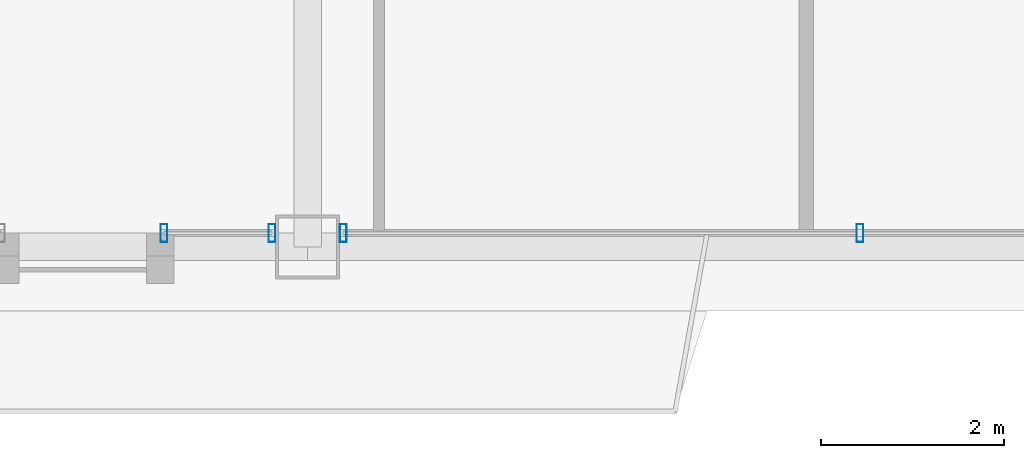
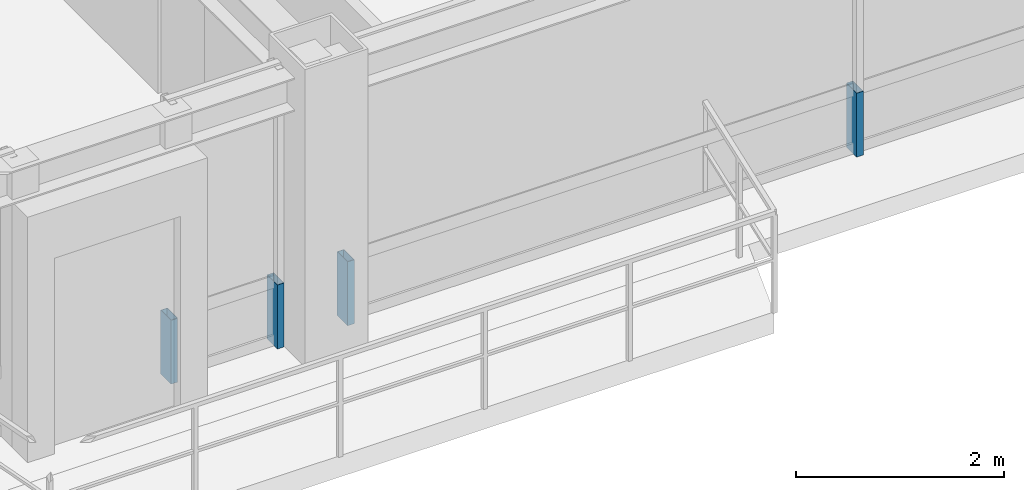
# One storey, part 20 of 33: 4 members, 2 elements without a shape of their own.
"""IFC4 building model written with IfcOpenShell, lengths in metres."""

from ifc_helpers import new_model, si_unit, direction, frame, origin, origin_2d, place, context, subcontext, project, spatial, hollow_rectangle, extrude, source, transform, mapped, material, layer, layer_set, material_profile, profile_set, type_object, element, aggregate, save


model = new_model("IFC4")

# Units and contexts
model_context = context("Model", 3, precision=1e-05, world=origin(), true_north=direction((0.0, 1.0)))
body_context = subcontext(model_context, "Body", "Model", "MODEL_VIEW")
ifc_project = project(units=[si_unit("LENGTHUNIT", "METRE"), si_unit("AREAUNIT", "SQUARE_METRE"), si_unit("VOLUMEUNIT", "CUBIC_METRE"), si_unit("PLANEANGLEUNIT", "RADIAN"), si_unit("MASSUNIT", "GRAM", prefix="KILO"), si_unit("THERMODYNAMICTEMPERATUREUNIT", "KELVIN"), si_unit("POWERUNIT", "WATT")], contexts=[model_context])

# Site, building, storey
site_placement = place(None, origin())
site = spatial("IfcSite", under=ifc_project, at=site_placement, CompositionType="ELEMENT")
building_placement = place(site_placement, origin())
building = spatial("IfcBuilding", under=site, at=building_placement, Name="Yuzanri Waterfront Tower", CompositionType="ELEMENT")
storey_placement = place(building_placement, frame((0.0, 0.0, 292.60009765625)))
storey = spatial("IfcBuildingStorey", under=building, at=storey_placement, Name="L78", CompositionType="ELEMENT", Elevation=292.60009765625)

# Curtain wall, members
ifc_material_1 = material(Name="Anodized Architectural Bronze", Category="metal")
ifc_layer = layer(ifc_material_1, 0.159912109375)
ifc_layer_set = layer_set([ifc_layer], Name="Anodized Architectural Bronze")
curtain_wall_type = type_object("IfcCurtainWallType", Name="Anodized Bronze High-Rise Penthouse High-Wind Unitized Curtain Wall 6900", PredefinedType="NOTDEFINED", material=ifc_layer_set)
curtain_wall_1_placement = place(storey_placement, origin())
curtain_wall_1 = element("IfcCurtainWall", 1, at=curtain_wall_1_placement, inside=storey, type_object=curtain_wall_type, Name="L78 Curtain Wall CW-L78-SL2", PredefinedType="NOTDEFINED")
ifc_material_2 = material(Name="Anodized Architectural Bronze", Category="metal")
ifc_material_profile = material_profile(ifc_material_2, hollow_rectangle(XDim=0.074951171875, YDim=0.199951171875, WallThickness=0.00390625, at=origin_2d()), Name="CWM 75x200")
ifc_profile_set = profile_set([ifc_material_profile], Name="Anodized Architectural Bronze")
member_type = type_object("IfcMemberType", Name="Anodized Bronze Primary Curtain-Wall Mullion 75x200", PredefinedType="MULLION", material=ifc_profile_set)
shared_shape = source(origin(), body_context, "Body", "SweptSolid", [
    extrude(hollow_rectangle(XDim=0.074951171875, YDim=0.199951171875, WallThickness=0.00390625, at=origin_2d()), origin(), (0.0, 0.0, 1.0), 0.751953125),
])
member_1_placement = place(storey_placement, frame((35.427001953125, 6.85009765625, 0.0), z_axis=(0.0, 0.0, 1.0), x_axis=(1.0, 0.0, 0.0)))
member_1 = element("IfcMember", 2, at=member_1_placement, type_object=member_type, Name="CW-L78-SL2 Lower Mullion 00", PredefinedType="MULLION", context=body_context, shape_type="MappedRepresentation", body=[
    mapped(shared_shape, transform((0.0, 0.0, 0.0), scale=1.0)),
])
member_2_placement = place(storey_placement, frame((36.610107421875, 6.85009765625, 0.0), z_axis=(0.0, 0.0, 1.0), x_axis=(1.0, 0.0, 0.0)))
member_2 = element("IfcMember", 3, at=member_2_placement, type_object=member_type, Name="CW-L78-SL2 Lower Mullion 01", PredefinedType="MULLION", context=body_context, shape_type="MappedRepresentation", body=[
    mapped(shared_shape, transform((0.0, 0.0, 0.0), scale=1.0)),
])
aggregate(curtain_wall_1, [member_1, member_2])

curtain_wall_2_placement = place(storey_placement, origin())
curtain_wall_2 = element("IfcCurtainWall", 4, at=curtain_wall_2_placement, inside=storey, type_object=curtain_wall_type, Name="L78 Curtain Wall CW-L78-SR", PredefinedType="NOTDEFINED")
member_3_placement = place(storey_placement, frame((37.389892578125, 6.85009765625, 0.0), z_axis=(0.0, 0.0, 1.0), x_axis=(1.0, 0.0, 0.0)))
member_3 = element("IfcMember", 5, at=member_3_placement, type_object=member_type, Name="CW-L78-SR Lower Mullion 00", PredefinedType="MULLION", context=body_context, shape_type="MappedRepresentation", body=[
    mapped(shared_shape, transform((0.0, 0.0, 0.0), scale=1.0)),
])
member_4_placement = place(storey_placement, frame((43.050048828125, 6.85009765625, 0.0), z_axis=(0.0, 0.0, 1.0), x_axis=(1.0, 0.0, 0.0)))
member_4 = element("IfcMember", 6, at=member_4_placement, type_object=member_type, Name="CW-L78-SR Lower Mullion 01", PredefinedType="MULLION", context=body_context, shape_type="MappedRepresentation", body=[
    mapped(shared_shape, transform((0.0, 0.0, 0.0), scale=1.0)),
])
aggregate(curtain_wall_2, [member_3, member_4])

save(model, "model.ifc")
